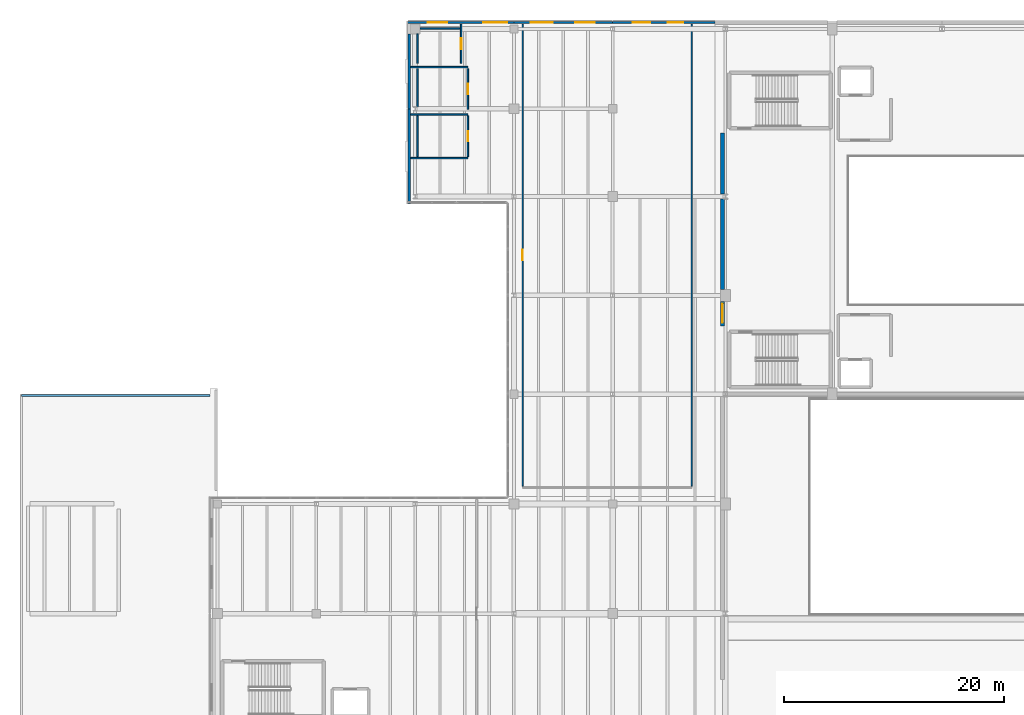
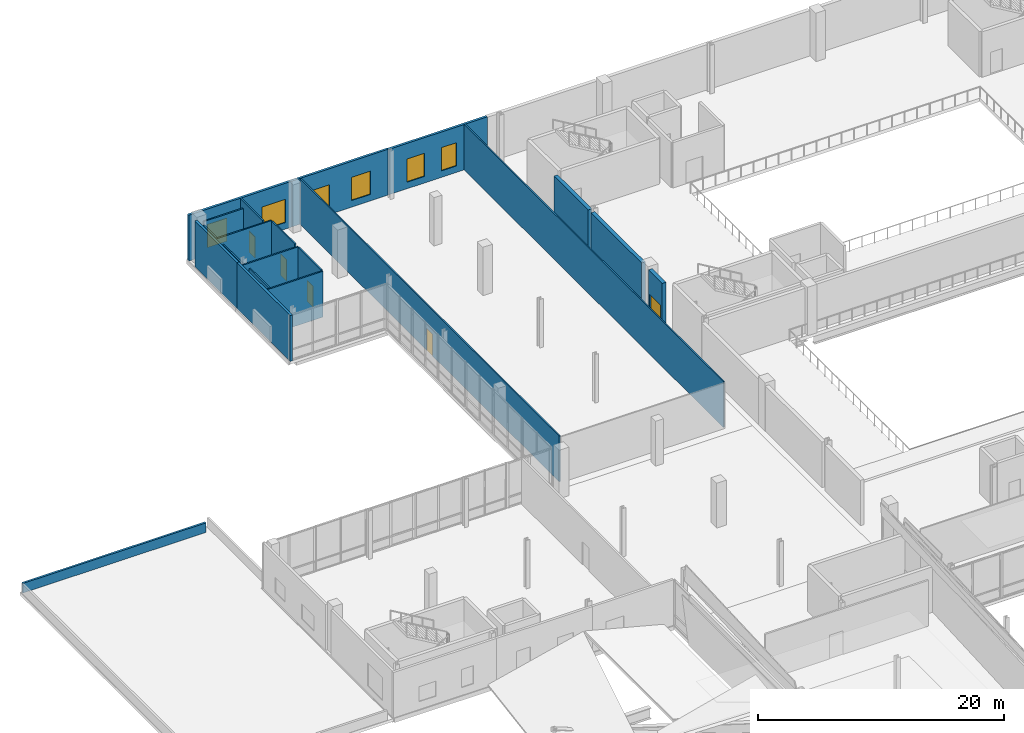
# One storey, part 30 of 41: 21 walls, 6 windows, 5 doors, 11 openings.
"""IFC4 building model written with IfcOpenShell, lengths in metres."""

from ifc_helpers import new_model, si_unit, direction, frame, frame_2d, origin, place, context, subcontext, project, spatial, rectangle, extrude, material, layer, layer_set, type_object, element, fill, save


model = new_model("IFC4")

# Units and contexts
model_context = context("Model", 3, precision=1e-05, world=origin(), true_north=direction((0.0, 1.0)))
body_context = subcontext(model_context, "Body", "Model", "MODEL_VIEW")
ifc_project = project(units=[si_unit("LENGTHUNIT", "METRE"), si_unit("AREAUNIT", "SQUARE_METRE"), si_unit("VOLUMEUNIT", "CUBIC_METRE"), si_unit("PLANEANGLEUNIT", "RADIAN"), si_unit("MASSUNIT", "GRAM", prefix="KILO")], contexts=[model_context])

# Site, building, storey
site_placement = place(None, origin())
site = spatial("IfcSite", under=ifc_project, at=site_placement, CompositionType="ELEMENT")
building_placement = place(site_placement, origin())
building = spatial("IfcBuilding", under=site, at=building_placement, Name="Trimount Lyric Opera House", CompositionType="ELEMENT")
storey_placement = place(building_placement, frame((0.0, 0.0, 20.0)))
storey = spatial("IfcBuildingStorey", under=building, at=storey_placement, Name="L04", CompositionType="ELEMENT", Elevation=20.0)

# Wall
ifc_material_1 = material(Name="Precast concrete C40/50", Category="concrete")
ifc_layer_1 = layer(ifc_material_1, 0.18994140625)
ifc_layer_set_1 = layer_set([ifc_layer_1], Name="WL-PA190")
wall_type_1 = type_object("IfcWallType", Name="WL-PA190", PredefinedType="PARAPET", material=ifc_layer_set_1)
wall_1_placement = place(storey_placement, frame((0.139892578125, 83.860107421875, 0.0), z_axis=(0.0, 0.0, 1.0), x_axis=(1.0, 0.0, 0.0)))
element("IfcWall", 1, at=wall_1_placement, inside=storey, type_object=wall_type_1, Name="L04 roof parapet 017", PredefinedType="PARAPET", context=body_context, shape_type="SweptSolid", body=[
    extrude(rectangle(XDim=17.18017578125, YDim=0.18994140625, at=frame_2d((8.590087890625, 0.0))), origin(), (0.0, 0.0, 1.0), 0.949951171875),
])

# Wall, opening, door
ifc_material_2 = material(Name="Gypsum Board Partition")
ifc_layer_2 = layer(ifc_material_2, 0.1201171875)
ifc_layer_set_2 = layer_set([ifc_layer_2], Name="WL-PT120")
wall_type_2 = type_object("IfcWallType", Name="WL-PT120", PredefinedType="PARTITIONING", material=ifc_layer_set_2)
wall_2_placement = place(storey_placement, frame((45.800048828125, 117.719970703125, 0.0), z_axis=(0.0, 0.0, 1.0), x_axis=(0.0, -1.0, 0.0)))
wall_2 = element("IfcWall", 2, at=wall_2_placement, inside=storey, type_object=wall_type_2, Name="L04 Civic Engagement & Administration W partition", PredefinedType="PARTITIONING", context=body_context, shape_type="SweptSolid", body=[
    extrude(rectangle(XDim=42.099853515625, YDim=0.1201171875, at=frame_2d((21.0498046875, 0.0))), origin(), (0.0, 0.0, 1.0), 4.5400390625),
])
opening_1_placement = place(wall_2_placement, frame((20.574951171875, 0.0, 0.0)))
opening_1 = element("IfcOpeningElement", 3, at=opening_1_placement, cuts=wall_2, Name="Opening DT-RM2", PredefinedType="OPENING", context=body_context, shape_type="SweptSolid", body=[
    extrude(rectangle(XDim=0.949951171875, YDim=2.14990234375, at=frame_2d((0.47509765625, 1.074951171875))), frame((0.0, 0.070068359375, 0.0), z_axis=(0.0, -1.0, 0.0), x_axis=(1.0, 0.0, 0.0)), (0.0, 0.0, 1.0), 0.14013671875),
])
ifc_material_3 = material(Name="Solid Core White Oak")
door_type_1 = type_object("IfcDoorType", Name="DT-RM2", OperationType="NOTDEFINED", PredefinedType="DOOR", material=ifc_material_3)
door_1_placement = place(opening_1_placement, origin())
door_1 = element("IfcDoor", 4, at=door_1_placement, inside=storey, type_object=door_type_1, Name="D-237", OperationType="SINGLE_SWING_RIGHT", OverallHeight=2.14990234375, OverallWidth=0.949951171875, PredefinedType="DOOR", context=body_context, shape_type="SweptSolid", body=[
    extrude(rectangle(XDim=0.949951171875, YDim=2.14990234375, at=frame_2d((0.47509765625, 1.074951171875))), frame((0.0, 0.02490234375, 0.0), z_axis=(0.0, -1.0, 0.0), x_axis=(1.0, 0.0, 0.0)), (0.0, 0.0, 1.0), 0.050048828125),
])
fill(opening_1, door_1)

# Walls
wall_3_placement = place(storey_placement, frame((61.199951171875, 75.6201171875, 0.0), z_axis=(0.0, 0.0, 1.0), x_axis=(0.0, 1.0, 0.0)))
element("IfcWall", 5, at=wall_3_placement, inside=storey, type_object=wall_type_2, Name="L04 Civic Engagement & Administration E partition", PredefinedType="PARTITIONING", context=body_context, shape_type="SweptSolid", body=[
    extrude(rectangle(XDim=42.099853515625, YDim=0.1201171875, at=frame_2d((21.0498046875, 0.0))), origin(), (0.0, 0.0, 1.0), 4.5400390625),
])
ifc_material_4 = material(Name="Moisture-Resistant Gypsum Board")
ifc_layer_3 = layer(ifc_material_4, 0.135009765625)
ifc_layer_set_3 = layer_set([ifc_layer_3], Name="WL-PT135")
wall_type_3 = type_object("IfcWallType", Name="WL-PT135", PredefinedType="PARTITIONING", material=ifc_layer_set_3)
for number, where, z_axis, x_axis, name in (
    (6, (35.60009765625, 105.5, 0.0), (0.0, 0.0, 1.0), (1.0, 0.0, 0.0), "L04 L04 Male Restroom S partition"),
    (7, (40.800048828125, 109.5, 0.0), (0.0, 0.0, 1.0), (-1.0, 0.0, 0.0), "L04 L04 Male Restroom N partition"),
):
    element("IfcWall", number, at=place(storey_placement, frame(where, z_axis=z_axis, x_axis=x_axis)), inside=storey, type_object=wall_type_3, Name=name, PredefinedType="PARTITIONING", context=body_context, shape_type="SweptSolid", body=[
        extrude(rectangle(XDim=5.199951171875, YDim=0.135009765625, at=frame_2d((2.60009765625, 0.0))), origin(), (0.0, 0.0, 1.0), 4.5400390625),
    ])
wall_4_placement = place(storey_placement, frame((36.199951171875, 109.364990234375, 0.0), z_axis=(0.0, 0.0, 1.0), x_axis=(0.0, -1.0, 0.0)))
element("IfcWall", 8, at=wall_4_placement, inside=storey, type_object=wall_type_3, Name="L04 L04 Male Restroom W partition", PredefinedType="PARTITIONING", context=body_context, shape_type="SweptSolid", body=[
    extrude(rectangle(XDim=3.72998046875, YDim=0.135009765625, at=frame_2d((1.864990234375, 0.0))), origin(), (0.0, 0.0, 1.0), 4.06298828125),
])

# Wall, opening, door
wall_5_placement = place(storey_placement, frame((40.800048828125, 105.635009765625, 0.0), z_axis=(0.0, 0.0, 1.0), x_axis=(0.0, 1.0, 0.0)))
wall_5 = element("IfcWall", 9, at=wall_5_placement, inside=storey, type_object=wall_type_3, Name="L04 L04 Male Restroom E partition", PredefinedType="PARTITIONING", context=body_context, shape_type="SweptSolid", body=[
    extrude(rectangle(XDim=3.72998046875, YDim=0.135009765625, at=frame_2d((1.864990234375, 0.0))), origin(), (0.0, 0.0, 1.0), 4.5400390625),
])
opening_2_placement = place(wall_5_placement, frame((1.405029296875, 0.0, 0.0)))
opening_2 = element("IfcOpeningElement", 10, at=opening_2_placement, cuts=wall_5, Name="Opening DT-WC1", PredefinedType="OPENING", context=body_context, shape_type="SweptSolid", body=[
    extrude(rectangle(XDim=0.919921875, YDim=2.10009765625, at=frame_2d((0.4599609375, 1.050048828125))), frame((0.0, 0.07763671875, 0.0), z_axis=(0.0, -1.0, 0.0), x_axis=(1.0, 0.0, 0.0)), (0.0, 0.0, 1.0), 0.155029296875),
])
ifc_material_5 = material(Name="Moisture-Resistant Solid-Core Laminate")
door_type_2 = type_object("IfcDoorType", Name="DT-WC1", OperationType="NOTDEFINED", PredefinedType="DOOR", material=ifc_material_5)
door_2_placement = place(opening_2_placement, origin())
door_2 = element("IfcDoor", 11, at=door_2_placement, inside=storey, type_object=door_type_2, Name="D-239", OperationType="SINGLE_SWING_RIGHT", OverallHeight=2.10009765625, OverallWidth=0.919921875, PredefinedType="DOOR", context=body_context, shape_type="SweptSolid", body=[
    extrude(rectangle(XDim=0.919921875, YDim=2.10009765625, at=frame_2d((0.4599609375, 1.050048828125))), frame((0.0, 0.02490234375, 0.0), z_axis=(0.0, -1.0, 0.0), x_axis=(1.0, 0.0, 0.0)), (0.0, 0.0, 1.0), 0.050048828125),
])
fill(opening_2, door_2)

# Walls
wall_6_placement = place(storey_placement, frame((40.800048828125, 113.800048828125, 0.0), z_axis=(0.0, 0.0, 1.0), x_axis=(-1.0, 0.0, 0.0)))
element("IfcWall", 12, at=wall_6_placement, inside=storey, type_object=wall_type_3, Name="L04 L04 Female Restroom N partition", PredefinedType="PARTITIONING", context=body_context, shape_type="SweptSolid", body=[
    extrude(rectangle(XDim=5.199951171875, YDim=0.135009765625, at=frame_2d((2.60009765625, 0.0))), origin(), (0.0, 0.0, 1.0), 4.5400390625),
])
wall_7_placement = place(storey_placement, frame((36.199951171875, 113.6650390625, 0.0), z_axis=(0.0, 0.0, 1.0), x_axis=(0.0, -1.0, 0.0)))
element("IfcWall", 13, at=wall_7_placement, inside=storey, type_object=wall_type_3, Name="L04 L04 Female Restroom W partition", PredefinedType="PARTITIONING", context=body_context, shape_type="SweptSolid", body=[
    extrude(rectangle(XDim=3.487060546875, YDim=0.135009765625, at=frame_2d((1.74365234375, 0.0))), origin(), (0.0, 0.0, 1.0), 3.830078125),
])

# Wall, opening, door
wall_8_placement = place(storey_placement, frame((40.800048828125, 109.93505859375, 0.0), z_axis=(0.0, 0.0, 1.0), x_axis=(0.0, 1.0, 0.0)))
wall_8 = element("IfcWall", 14, at=wall_8_placement, inside=storey, type_object=wall_type_3, Name="L04 L04 Female Restroom E partition", PredefinedType="PARTITIONING", context=body_context, shape_type="SweptSolid", body=[
    extrude(rectangle(XDim=3.72998046875, YDim=0.135009765625, at=frame_2d((1.864990234375, 0.0))), origin(), (0.0, 0.0, 1.0), 4.5400390625),
])
opening_3_placement = place(wall_8_placement, frame((1.405029296875, 0.0, 0.0)))
opening_3 = element("IfcOpeningElement", 15, at=opening_3_placement, cuts=wall_8, Name="Opening DT-WC1", PredefinedType="OPENING", context=body_context, shape_type="SweptSolid", body=[
    extrude(rectangle(XDim=0.919921875, YDim=2.10009765625, at=frame_2d((0.4599609375, 1.050048828125))), frame((0.0, 0.07763671875, 0.0), z_axis=(0.0, -1.0, 0.0), x_axis=(1.0, 0.0, 0.0)), (0.0, 0.0, 1.0), 0.155029296875),
])
door_3_placement = place(opening_3_placement, origin())
door_3 = element("IfcDoor", 16, at=door_3_placement, inside=storey, type_object=door_type_2, Name="D-240", OperationType="SINGLE_SWING_LEFT", OverallHeight=2.10009765625, OverallWidth=0.919921875, PredefinedType="DOOR", context=body_context, shape_type="SweptSolid", body=[
    extrude(rectangle(XDim=0.919921875, YDim=2.10009765625, at=frame_2d((0.4599609375, 1.050048828125))), frame((0.0, 0.02490234375, 0.0), z_axis=(0.0, -1.0, 0.0), x_axis=(1.0, 0.0, 0.0)), (0.0, 0.0, 1.0), 0.050048828125),
])
fill(opening_3, door_3)

# Walls
wall_9_placement = place(storey_placement, frame((40.199951171875, 117.300048828125, 0.0), z_axis=(0.0, 0.0, 1.0), x_axis=(-1.0, 0.0, 0.0)))
element("IfcWall", 17, at=wall_9_placement, inside=storey, type_object=wall_type_3, Name="L04 L04 Accessible WC N partition", PredefinedType="PARTITIONING", context=body_context, shape_type="SweptSolid", body=[
    extrude(rectangle(XDim=3.75, YDim=0.135009765625, at=frame_2d((1.875, 0.0))), origin(), (0.0, 0.0, 1.0), 3.830078125),
])
wall_10_placement = place(storey_placement, frame((36.199951171875, 116.830078125, 0.0), z_axis=(0.0, 0.0, 1.0), x_axis=(0.0, -1.0, 0.0)))
element("IfcWall", 18, at=wall_10_placement, inside=storey, type_object=wall_type_3, Name="L04 L04 Accessible WC W partition", PredefinedType="PARTITIONING", context=body_context, shape_type="SweptSolid", body=[
    extrude(rectangle(XDim=2.695068359375, YDim=0.135009765625, at=frame_2d((1.34765625, 0.0))), origin(), (0.0, 0.0, 1.0), 3.830078125),
])

# Wall, opening, door
wall_11_placement = place(storey_placement, frame((40.199951171875, 114.135009765625, 0.0), z_axis=(0.0, 0.0, 1.0), x_axis=(0.0, 1.0, 0.0)))
wall_11 = element("IfcWall", 19, at=wall_11_placement, inside=storey, type_object=wall_type_3, Name="L04 L04 Accessible WC E partition", PredefinedType="PARTITIONING", context=body_context, shape_type="SweptSolid", body=[
    extrude(rectangle(XDim=3.5849609375, YDim=0.135009765625, at=frame_2d((1.79248046875, 0.0))), origin(), (0.0, 0.0, 1.0), 4.5400390625),
])
opening_4_placement = place(wall_11_placement, frame((1.302490234375, 0.0, 0.0)))
opening_4 = element("IfcOpeningElement", 20, at=opening_4_placement, cuts=wall_11, Name="Opening DT-WC2", PredefinedType="OPENING", context=body_context, shape_type="SweptSolid", body=[
    extrude(rectangle(XDim=0.97998046875, YDim=2.10009765625, at=frame_2d((0.489990234375, 1.050048828125))), frame((0.0, 0.07763671875, 0.0), z_axis=(0.0, -1.0, 0.0), x_axis=(1.0, 0.0, 0.0)), (0.0, 0.0, 1.0), 0.155029296875),
])
ifc_material_6 = material(Name="Moisture-Resistant Solid-Core Laminate")
door_type_3 = type_object("IfcDoorType", Name="DT-WC2", OperationType="NOTDEFINED", PredefinedType="DOOR", material=ifc_material_6)
door_4_placement = place(opening_4_placement, origin())
door_4 = element("IfcDoor", 21, at=door_4_placement, inside=storey, type_object=door_type_3, Name="D-241", OperationType="SINGLE_SWING_RIGHT", OverallHeight=2.10009765625, OverallWidth=0.97998046875, PredefinedType="DOOR", context=body_context, shape_type="SweptSolid", body=[
    extrude(rectangle(XDim=0.97998046875, YDim=2.10009765625, at=frame_2d((0.489990234375, 1.050048828125))), frame((0.0, 0.02490234375, 0.0), z_axis=(0.0, -1.0, 0.0), x_axis=(1.0, 0.0, 0.0)), (0.0, 0.0, 1.0), 0.050048828125),
])
fill(opening_4, door_4)

ifc_material_7 = material(Name="Concrete C40/50", Category="concrete")
ifc_layer_4 = layer(ifc_material_7, 0.35009765625)
ifc_layer_set_4 = layer_set([ifc_layer_4], Name="WL-SH350")
wall_type_4 = type_object("IfcWallType", Name="WL-SH350", PredefinedType="SHEAR", material=ifc_layer_set_4)
wall_12_placement = place(storey_placement, frame((64.0, 90.199951171875, 0.0), z_axis=(0.0, 0.0, 1.0), x_axis=(0.0, 1.0, 0.0)))
wall_12 = element("IfcWall", 22, at=wall_12_placement, inside=storey, type_object=wall_type_4, Name="L04 fly-tower west shear wall", PredefinedType="SHEAR", context=body_context, shape_type="SweptSolid", body=[
    extrude(rectangle(XDim=2.25, YDim=0.35009765625, at=frame_2d((1.125, 0.0))), origin(), (0.0, 0.0, 1.0), 4.5),
])
opening_5_placement = place(wall_12_placement, frame((0.300048828125, 0.0, 0.0)))
opening_5 = element("IfcOpeningElement", 23, at=opening_5_placement, cuts=wall_12, Name="Opening DT-COR1", PredefinedType="OPENING", context=body_context, shape_type="SweptSolid", body=[
    extrude(rectangle(XDim=1.75, YDim=2.199951171875, at=frame_2d((0.875, 1.10009765625))), frame((0.0, 0.18505859375, 0.0), z_axis=(0.0, -1.0, 0.0), x_axis=(1.0, 0.0, 0.0)), (0.0, 0.0, 1.0), 0.3701171875),
])
ifc_material_8 = material(Name="Fire-Rated Timber Veneer", Category="wood")
door_type_4 = type_object("IfcDoorType", Name="DT-COR1", OperationType="DOUBLE_DOOR_SINGLE_SWING", PredefinedType="DOOR", material=ifc_material_8)
door_5_placement = place(opening_5_placement, origin())
door_5 = element("IfcDoor", 24, at=door_5_placement, inside=storey, type_object=door_type_4, Name="D-135", OperationType="DOUBLE_DOOR_SINGLE_SWING", OverallHeight=2.199951171875, OverallWidth=1.75, PredefinedType="DOOR", context=body_context, shape_type="SweptSolid", body=[
    extrude(rectangle(XDim=1.75, YDim=2.199951171875, at=frame_2d((0.875, 1.10009765625))), frame((0.0, 0.02490234375, 0.0), z_axis=(0.0, -1.0, 0.0), x_axis=(1.0, 0.0, 0.0)), (0.0, 0.0, 1.0), 0.050048828125),
])
fill(opening_5, door_5)

# Walls
wall_13_placement = place(storey_placement, frame((64.0, 93.550048828125, 0.0), z_axis=(0.0, 0.0, 1.0), x_axis=(0.0, 1.0, 0.0)))
element("IfcWall", 25, at=wall_13_placement, inside=storey, type_object=wall_type_4, Name="L04 fly-tower west shear wall", PredefinedType="SHEAR", context=body_context, shape_type="SweptSolid", body=[
    extrude(rectangle(XDim=8.217529296875, YDim=0.35009765625, at=frame_2d((4.10888671875, 0.0))), origin(), (0.0, 0.0, 1.0), 4.5),
])
wall_14_placement = place(storey_placement, frame((64.0, 102.232421875, 0.0), z_axis=(0.0, 0.0, 1.0), x_axis=(0.0, 1.0, 0.0)))
element("IfcWall", 26, at=wall_14_placement, inside=storey, type_object=wall_type_4, Name="L04 fly-tower west shear wall", PredefinedType="SHEAR", context=body_context, shape_type="SweptSolid", body=[
    extrude(rectangle(XDim=5.567626953125, YDim=0.35009765625, at=frame_2d((2.78369140625, 0.0))), origin(), (0.0, 0.0, 1.0), 4.5),
])
ifc_material_9 = material(Name="Concrete C35/45", Category="concrete")
ifc_layer_5 = layer(ifc_material_9, 0.219970703125)
ifc_layer_set_5 = layer_set([ifc_layer_5], Name="WL-SW220")
wall_type_5 = type_object("IfcWallType", Name="WL-SW220", PredefinedType="SOLIDWALL", material=ifc_layer_set_5)
wall_15_placement = place(storey_placement, frame((35.4599609375, 101.320068359375, 0.0), z_axis=(0.0, 0.0, 1.0), x_axis=(0.0, 1.0, 0.0)))
element("IfcWall", 27, at=wall_15_placement, inside=storey, type_object=wall_type_5, Name="L04 exterior facade wall 296", PredefinedType="SOLIDWALL", context=body_context, shape_type="SweptSolid", body=[
    extrude(rectangle(XDim=8.679931640625, YDim=0.219970703125, at=frame_2d((4.33984375, 0.0))), origin(), (0.0, 0.0, 1.0), 4.5400390625),
])
wall_16_placement = place(storey_placement, frame((35.4599609375, 110.0, 0.0), z_axis=(0.0, 0.0, 1.0), x_axis=(0.0, 1.0, 0.0)))
element("IfcWall", 28, at=wall_16_placement, inside=storey, type_object=wall_type_5, Name="L04 exterior facade wall 297", PredefinedType="SOLIDWALL", context=body_context, shape_type="SweptSolid", body=[
    extrude(rectangle(XDim=6.830078125, YDim=0.219970703125, at=frame_2d((3.4150390625, 0.0))), origin(), (0.0, 0.0, 1.0), 4.5400390625),
])

# Wall, openings, windows
wall_17_placement = place(storey_placement, frame((35.320068359375, 117.860107421875, 0.0), z_axis=(0.0, 0.0, 1.0), x_axis=(1.0, 0.0, 0.0)))
wall_17 = element("IfcWall", 29, at=wall_17_placement, inside=storey, type_object=wall_type_5, Name="L04 exterior facade wall 298", PredefinedType="SOLIDWALL", context=body_context, shape_type="SweptSolid", body=[
    extrude(rectangle(XDim=9.679931640625, YDim=0.219970703125, at=frame_2d((4.83984375, 0.0))), origin(), (0.0, 0.0, 1.0), 4.5400390625),
])
opening_6_placement = place(wall_17_placement, frame((1.810302734375, 0.0, 0.64990234375)))
opening_6 = element("IfcOpeningElement", 30, at=opening_6_placement, cuts=wall_17, Name="Opening WT-04", PredefinedType="OPENING", context=body_context, shape_type="SweptSolid", body=[
    extrude(rectangle(XDim=1.800048828125, YDim=2.300048828125, at=frame_2d((0.89990234375, 1.14990234375))), frame((0.0, 0.1201171875, 0.0), z_axis=(0.0, -1.0, 0.0), x_axis=(1.0, 0.0, 0.0)), (0.0, 0.0, 1.0), 0.239990234375),
])
opening_7_placement = place(wall_17_placement, frame((6.86962890625, 0.0, 0.64990234375)))
opening_7 = element("IfcOpeningElement", 31, at=opening_7_placement, cuts=wall_17, Name="Opening WT-02", PredefinedType="OPENING", context=body_context, shape_type="SweptSolid", body=[
    extrude(rectangle(XDim=2.199951171875, YDim=2.300048828125, at=frame_2d((1.10009765625, 1.14990234375))), frame((0.0, 0.1201171875, 0.0), z_axis=(0.0, -1.0, 0.0), x_axis=(1.0, 0.0, 0.0)), (0.0, 0.0, 1.0), 0.239990234375),
])
ifc_material_10 = material(Name="Triple Acoustic Glazing in Aluminium Frame", Category="aluminium")
window_type_1 = type_object("IfcWindowType", Name="WT-02", PartitioningType="DOUBLE_PANEL_VERTICAL", PredefinedType="WINDOW", material=ifc_material_10)
window_1_placement = place(opening_7_placement, origin())
window_1 = element("IfcWindow", 32, at=window_1_placement, inside=storey, type_object=window_type_1, Name="Window WT-02-0262", OverallHeight=2.300048828125, OverallWidth=2.199951171875, PartitioningType="SINGLE_PANEL", PredefinedType="WINDOW", context=body_context, shape_type="SweptSolid", body=[
    extrude(rectangle(XDim=2.199951171875, YDim=2.300048828125, at=frame_2d((1.10009765625, 1.14990234375))), frame((0.0, 0.030029296875, 0.0), z_axis=(0.0, -1.0, 0.0), x_axis=(1.0, 0.0, 0.0)), (0.0, 0.0, 1.0), 0.06005859375),
])
fill(opening_7, window_1)
ifc_material_11 = material(Name="Triple Acoustic Glazing in Aluminium Frame", Category="aluminium")
window_type_2 = type_object("IfcWindowType", Name="WT-04", PartitioningType="DOUBLE_PANEL_VERTICAL", PredefinedType="WINDOW", material=ifc_material_11)
window_2_placement = place(opening_6_placement, origin())
window_2 = element("IfcWindow", 33, at=window_2_placement, inside=storey, type_object=window_type_2, Name="Window WT-04-0261", OverallHeight=2.300048828125, OverallWidth=1.800048828125, PartitioningType="SINGLE_PANEL", PredefinedType="WINDOW", context=body_context, shape_type="SweptSolid", body=[
    extrude(rectangle(XDim=1.800048828125, YDim=2.300048828125, at=frame_2d((0.89990234375, 1.14990234375))), frame((0.0, 0.030029296875, 0.0), z_axis=(0.0, -1.0, 0.0), x_axis=(1.0, 0.0, 0.0)), (0.0, 0.0, 1.0), 0.06005859375),
])
fill(opening_6, window_2)

wall_18_placement = place(storey_placement, frame((45.0, 117.860107421875, 0.0), z_axis=(0.0, 0.0, 1.0), x_axis=(1.0, 0.0, 0.0)))
wall_18 = element("IfcWall", 34, at=wall_18_placement, inside=storey, type_object=wall_type_5, Name="L04 exterior facade wall 299", PredefinedType="SOLIDWALL", context=body_context, shape_type="SweptSolid", body=[
    extrude(rectangle(XDim=9.0, YDim=0.219970703125, at=frame_2d((4.5, 0.0))), origin(), (0.0, 0.0, 1.0), 4.5400390625),
])
opening_8_placement = place(wall_18_placement, frame((1.52001953125, 0.0, 0.64990234375)))
opening_8 = element("IfcOpeningElement", 35, at=opening_8_placement, cuts=wall_18, Name="Opening WT-03", PredefinedType="OPENING", context=body_context, shape_type="SweptSolid", body=[
    extrude(rectangle(XDim=2.0, YDim=2.300048828125, at=frame_2d((1.0, 1.14990234375))), frame((0.0, 0.1201171875, 0.0), z_axis=(0.0, -1.0, 0.0), x_axis=(1.0, 0.0, 0.0)), (0.0, 0.0, 1.0), 0.239990234375),
])
opening_9_placement = place(wall_18_placement, frame((5.580078125, 0.0, 0.64990234375)))
opening_9 = element("IfcOpeningElement", 36, at=opening_9_placement, cuts=wall_18, Name="Opening WT-04", PredefinedType="OPENING", context=body_context, shape_type="SweptSolid", body=[
    extrude(rectangle(XDim=1.800048828125, YDim=2.300048828125, at=frame_2d((0.89990234375, 1.14990234375))), frame((0.0, 0.1201171875, 0.0), z_axis=(0.0, -1.0, 0.0), x_axis=(1.0, 0.0, 0.0)), (0.0, 0.0, 1.0), 0.239990234375),
])
ifc_material_12 = material(Name="Triple Acoustic Glazing in Aluminium Frame", Category="aluminium")
window_type_3 = type_object("IfcWindowType", Name="WT-03", PartitioningType="DOUBLE_PANEL_VERTICAL", PredefinedType="WINDOW", material=ifc_material_12)
window_3_placement = place(opening_8_placement, origin())
window_3 = element("IfcWindow", 37, at=window_3_placement, inside=storey, type_object=window_type_3, Name="Window WT-03-0263", OverallHeight=2.300048828125, OverallWidth=2.0, PartitioningType="SINGLE_PANEL", PredefinedType="WINDOW", context=body_context, shape_type="SweptSolid", body=[
    extrude(rectangle(XDim=2.0, YDim=2.300048828125, at=frame_2d((1.0, 1.14990234375))), frame((0.0, 0.030029296875, 0.0), z_axis=(0.0, -1.0, 0.0), x_axis=(1.0, 0.0, 0.0)), (0.0, 0.0, 1.0), 0.06005859375),
])
fill(opening_8, window_3)
window_4_placement = place(opening_9_placement, origin())
window_4 = element("IfcWindow", 38, at=window_4_placement, inside=storey, type_object=window_type_2, Name="Window WT-04-0264", OverallHeight=2.300048828125, OverallWidth=1.800048828125, PartitioningType="SINGLE_PANEL", PredefinedType="WINDOW", context=body_context, shape_type="SweptSolid", body=[
    extrude(rectangle(XDim=1.800048828125, YDim=2.300048828125, at=frame_2d((0.89990234375, 1.14990234375))), frame((0.0, 0.030029296875, 0.0), z_axis=(0.0, -1.0, 0.0), x_axis=(1.0, 0.0, 0.0)), (0.0, 0.0, 1.0), 0.06005859375),
])
fill(opening_9, window_4)

wall_19_placement = place(storey_placement, frame((54.0, 117.860107421875, 0.0), z_axis=(0.0, 0.0, 1.0), x_axis=(1.0, 0.0, 0.0)))
wall_19 = element("IfcWall", 39, at=wall_19_placement, inside=storey, type_object=wall_type_5, Name="L04 exterior facade wall 300", PredefinedType="SOLIDWALL", context=body_context, shape_type="SweptSolid", body=[
    extrude(rectangle(XDim=9.320068359375, YDim=0.219970703125, at=frame_2d((4.66015625, 0.0))), origin(), (0.0, 0.0, 1.0), 4.5),
])
opening_10_placement = place(wall_19_placement, frame((1.8095703125, 0.0, 0.64990234375)))
opening_10 = element("IfcOpeningElement", 40, at=opening_10_placement, cuts=wall_19, Name="Opening WT-05", PredefinedType="OPENING", context=body_context, shape_type="SweptSolid", body=[
    extrude(rectangle(XDim=1.60009765625, YDim=2.300048828125, at=frame_2d((0.800048828125, 1.14990234375))), frame((0.0, 0.1201171875, 0.0), z_axis=(0.0, -1.0, 0.0), x_axis=(1.0, 0.0, 0.0)), (0.0, 0.0, 1.0), 0.239990234375),
])
opening_11_placement = place(wall_19_placement, frame((5.010498046875, 0.0, 0.64990234375)))
opening_11 = element("IfcOpeningElement", 41, at=opening_11_placement, cuts=wall_19, Name="Opening WT-06", PredefinedType="OPENING", context=body_context, shape_type="SweptSolid", body=[
    extrude(rectangle(XDim=1.39990234375, YDim=2.300048828125, at=frame_2d((0.699951171875, 1.14990234375))), frame((0.0, 0.1201171875, 0.0), z_axis=(0.0, -1.0, 0.0), x_axis=(1.0, 0.0, 0.0)), (0.0, 0.0, 1.0), 0.239990234375),
])
ifc_material_13 = material(Name="Triple Acoustic Glazing in Aluminium Frame", Category="aluminium")
window_type_4 = type_object("IfcWindowType", Name="WT-05", PartitioningType="SINGLE_PANEL", PredefinedType="WINDOW", material=ifc_material_13)
window_5_placement = place(opening_10_placement, origin())
window_5 = element("IfcWindow", 42, at=window_5_placement, inside=storey, type_object=window_type_4, Name="Window WT-05-0265", OverallHeight=2.300048828125, OverallWidth=1.60009765625, PartitioningType="SINGLE_PANEL", PredefinedType="WINDOW", context=body_context, shape_type="SweptSolid", body=[
    extrude(rectangle(XDim=1.60009765625, YDim=2.300048828125, at=frame_2d((0.800048828125, 1.14990234375))), frame((0.0, 0.030029296875, 0.0), z_axis=(0.0, -1.0, 0.0), x_axis=(1.0, 0.0, 0.0)), (0.0, 0.0, 1.0), 0.06005859375),
])
fill(opening_10, window_5)
ifc_material_14 = material(Name="Triple Acoustic Glazing in Aluminium Frame", Category="aluminium")
window_type_5 = type_object("IfcWindowType", Name="WT-06", PartitioningType="SINGLE_PANEL", PredefinedType="WINDOW", material=ifc_material_14)
window_6_placement = place(opening_11_placement, origin())
window_6 = element("IfcWindow", 43, at=window_6_placement, inside=storey, type_object=window_type_5, Name="Window WT-06-0266", OverallHeight=2.300048828125, OverallWidth=1.39990234375, PartitioningType="SINGLE_PANEL", PredefinedType="WINDOW", context=body_context, shape_type="SweptSolid", body=[
    extrude(rectangle(XDim=1.39990234375, YDim=2.300048828125, at=frame_2d((0.699951171875, 1.14990234375))), frame((0.0, 0.030029296875, 0.0), z_axis=(0.0, -1.0, 0.0), x_axis=(1.0, 0.0, 0.0)), (0.0, 0.0, 1.0), 0.06005859375),
])
fill(opening_11, window_6)

save(model, "model.ifc")
